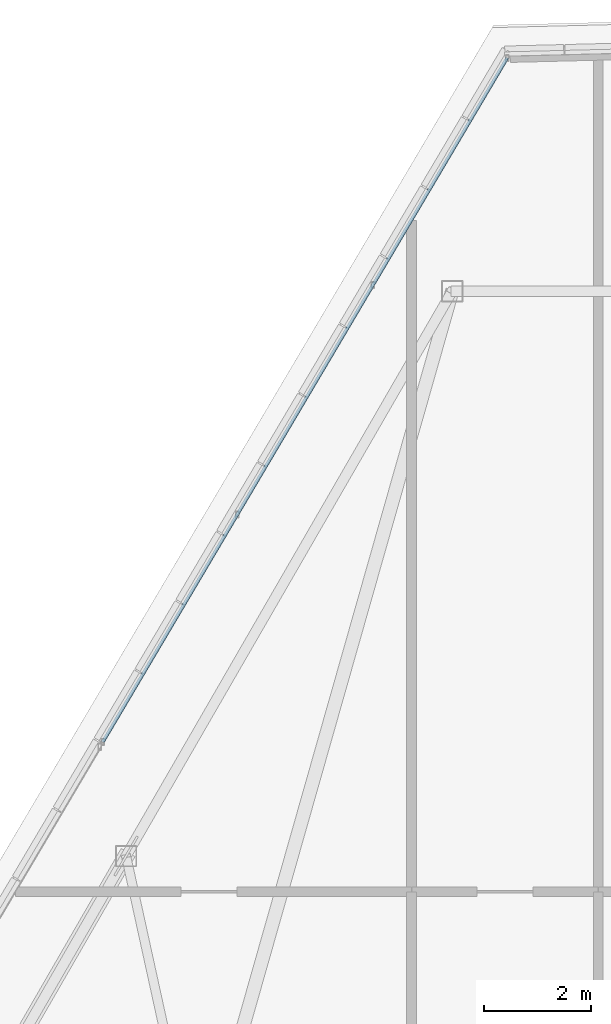
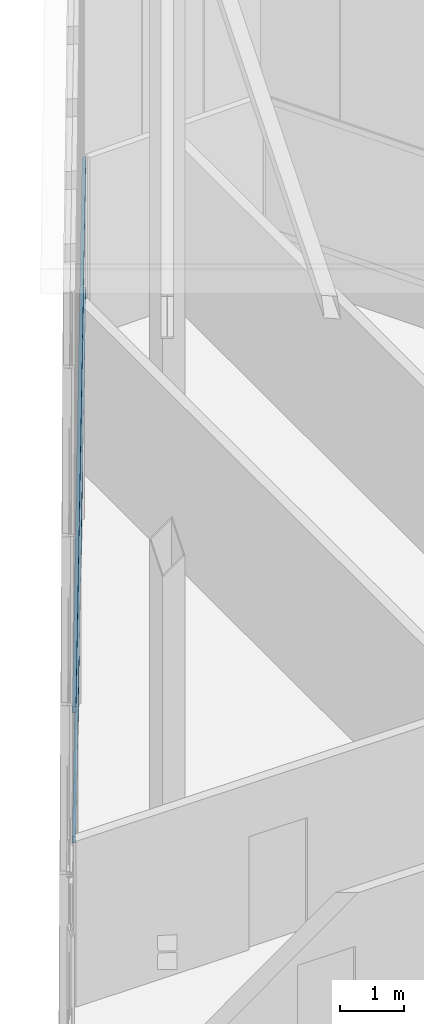
# One storey, part 37 of 50: 2 members, 1 element without a shape of its own.
"""IFC4 building model written with IfcOpenShell, lengths in metres."""

from ifc_helpers import new_model, si_unit, direction, frame, origin, origin_2d, place, context, subcontext, project, spatial, hollow_rectangle, extrude, source, transform, mapped, material, material_profile, profile_set, type_object, type_shapes, element, aggregate, save


model = new_model("IFC4")

# Units and contexts
model_context = context("Model", 3, precision=1e-05, world=origin(), true_north=direction((0.0, 1.0)))
body_context = subcontext(model_context, "Body", "Model", "MODEL_VIEW")
ifc_project = project(units=[si_unit("LENGTHUNIT", "METRE"), si_unit("AREAUNIT", "SQUARE_METRE"), si_unit("VOLUMEUNIT", "CUBIC_METRE"), si_unit("PLANEANGLEUNIT", "RADIAN"), si_unit("MASSUNIT", "GRAM", prefix="KILO")], contexts=[model_context])

# Site, building, storey
site_placement = place(None, origin())
site = spatial("IfcSite", under=ifc_project, at=site_placement, CompositionType="ELEMENT")
building_placement = place(site_placement, origin())
building = spatial("IfcBuilding", under=site, at=building_placement, Name="Caelisora Broadcast Tower", CompositionType="ELEMENT")
storey_placement = place(building_placement, frame((0.0, 0.0, 303.39990234375)))
storey = spatial("IfcBuildingStorey", under=building, at=storey_placement, Name="L80", CompositionType="ELEMENT", Elevation=303.39990234375)

# Curtain wall, members
ifc_material_1 = material(Name="Unitised Aluminium Insulated Shadow-Box Spandrel Curtain Wall", Category="aluminium")
curtain_wall_type = type_object("IfcCurtainWallType", Name="CW-SP3", PredefinedType="NOTDEFINED", material=ifc_material_1)
curtain_wall_placement = place(storey_placement, origin())
curtain_wall = element("IfcCurtainWall", 1, at=curtain_wall_placement, inside=storey, type_object=curtain_wall_type, Name="L80 curtain wall CW-SP3", PredefinedType="NOTDEFINED")
ifc_material_2 = material(Name="Aluminium 6063-T6 Anodised Terracotta Bronze", Category="aluminium")
ifc_material_profile = material_profile(ifc_material_2, hollow_rectangle(XDim=0.06005859375, YDim=0.1201171875, WallThickness=0.0029296875, at=origin_2d()), Name="Aluminium 6063-T6 Anodised Terracotta Bronze")
ifc_profile_set = profile_set([ifc_material_profile], Name="Aluminium 6063-T6 Anodised Terracotta Bronze")
member_type = type_object("IfcMemberType", Name="CWT-03", PredefinedType="USERDEFINED", material=ifc_profile_set)
shared_shape = source(origin(), body_context, "Body", "SweptSolid", [
    extrude(hollow_rectangle(XDim=0.06005859375, YDim=0.1201171875, WallThickness=0.0029296875, at=origin_2d()), origin(), (0.0, 0.0, 1.0), 14.897705078125),
])
type_shapes(member_type, [shared_shape])
member_1_placement = place(storey_placement, frame((28.71240234375, 38.30859375, 0.85009765625), z_axis=(0.508888864381, 0.860832227388, 0.0), x_axis=(-0.860832227388, 0.508888864381, 0.0)))
member_1 = element("IfcMember", 2, at=member_1_placement, type_object=member_type, Name="L80-CW-B11 transom #1", ObjectType="TRANSOM", PredefinedType="USERDEFINED", context=body_context, shape_type="MappedRepresentation", body=[
    mapped(shared_shape, transform((0.0, 0.0, 0.0), scale=1.0)),
])
member_2_placement = place(storey_placement, frame((28.71240234375, 38.30859375, 3.320068359375), z_axis=(0.508888864381, 0.860832227388, 0.0), x_axis=(-0.860832227388, 0.508888864381, 0.0)))
member_2 = element("IfcMember", 3, at=member_2_placement, type_object=member_type, Name="L80-CW-B11 transom #2", ObjectType="TRANSOM", PredefinedType="USERDEFINED", context=body_context, shape_type="MappedRepresentation", body=[
    mapped(shared_shape, transform((0.0, 0.0, 0.0), scale=1.0)),
])
aggregate(curtain_wall, [member_1, member_2])

save(model, "model.ifc")
